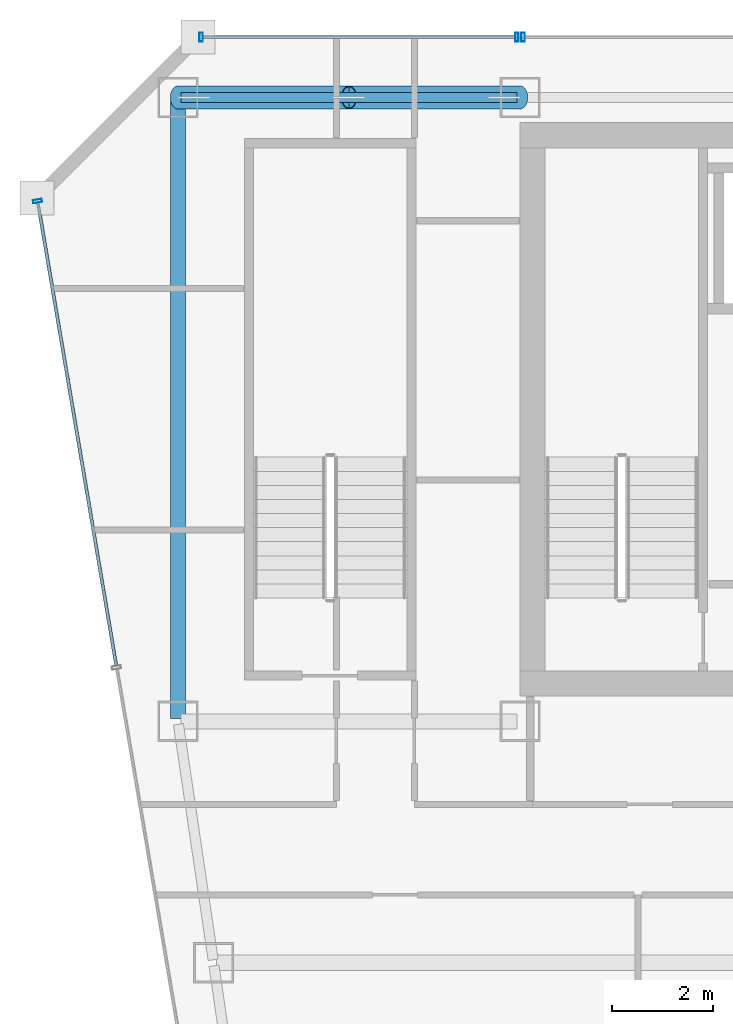
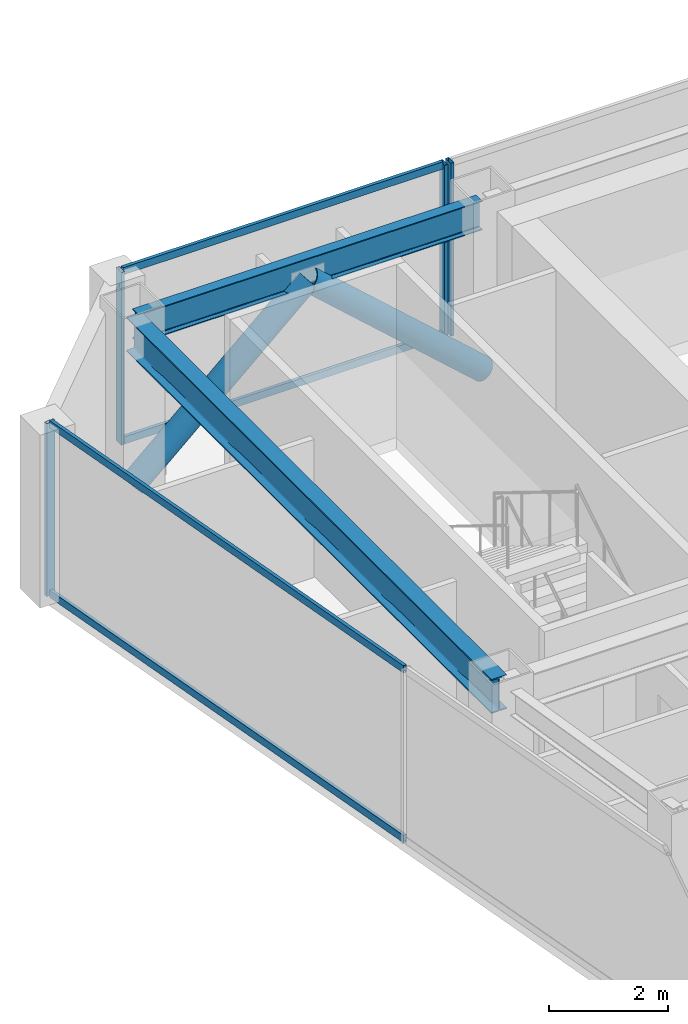
# One storey, part 23 of 35: 10 members, 2 beams, 3 elements without a shape of their own.
"""IFC4 building model written with IfcOpenShell, lengths in metres."""

import ifcopenshell
import ifcopenshell.guid

model = None  # the IFC model being written
_history = None  # IfcOwnerHistory: only IFC2X3 demands one
_inside = {}  # id of a spatial element -> (the spatial element, [elements in it])
_under = {}  # id of a project, library or spatial element -> (it, [spatial elements below it])
_declared = {}  # id of a project -> (the project, [libraries it declares])
_typed = {}  # id of a type object -> (the type object, [elements of that type])
_made_of = {}  # id of a material, layer set ... -> (it, [elements and type objects made of it])


def new_model(schema):
    """Start an empty IFC model of exactly this schema.

    Asked for "IFC4X3", IfcOpenShell would pick the latest addendum, in which some entities
    have other attributes; the version numbers below select the first issue.
    IFC2X3 requires an IfcOwnerHistory on every rooted entity: one is made here for all.
    """
    global model, _history
    if schema == "IFC4X3":
        model = ifcopenshell.file(schema_version=(4, 3, 0, 0))
    else:
        model = ifcopenshell.file(schema=schema)
    _inside.clear()
    _under.clear()
    _declared.clear()
    _typed.clear()
    _made_of.clear()
    _history = None
    if model.schema == "IFC2X3":
        org = make("IfcOrganization", Name="unknown")
        user = make(
            "IfcPersonAndOrganization",
            ThePerson=make("IfcPerson", FamilyName="unknown"),
            TheOrganization=org,
        )
        app = make(
            "IfcApplication",
            ApplicationDeveloper=org,
            Version="unknown",
            ApplicationFullName="unknown",
            ApplicationIdentifier="unknown",
        )
        _history = make(
            "IfcOwnerHistory",
            OwningUser=user,
            OwningApplication=app,
            ChangeAction="ADDED",
            CreationDate=0,
        )
    return model


def make(cls, **values):
    """One entity of the class cls with the attributes given. An attribute that is None is left unset."""
    return model.create_entity(
        cls, **{name: value for name, value in values.items() if value is not None}
    )


def rooted(cls, **values):
    """An entity with a GlobalId (a new one), such as an element, a storey or a relation."""
    return make(cls, GlobalId=ifcopenshell.guid.new(), OwnerHistory=_history, **values)


def si_unit(unit_type, name, prefix=None):
    """IfcSIUnit, for example si_unit("LENGTHUNIT", "METRE", prefix="MILLI")."""
    return make("IfcSIUnit", UnitType=unit_type, Prefix=prefix, Name=name)


def assignment(units):
    """IfcUnitAssignment: the units of a project."""
    return None if units is None else make("IfcUnitAssignment", Units=units)


def point(xyz):
    """IfcCartesianPoint."""
    return None if xyz is None else make("IfcCartesianPoint", Coordinates=xyz)


def direction(xyz):
    """IfcDirection."""
    return None if xyz is None else make("IfcDirection", DirectionRatios=xyz)


def frame(location, z_axis=None, x_axis=None):
    """IfcAxis2Placement3D, a coordinate frame: its origin and axes. An axis left out is left unset."""
    return make(
        "IfcAxis2Placement3D",
        Location=point(location),
        Axis=direction(z_axis),
        RefDirection=direction(x_axis),
    )


def frame_2d(location, x_axis=None):
    """IfcAxis2Placement2D, a coordinate frame in the plane: its origin and x axis."""
    return make(
        "IfcAxis2Placement2D", Location=point(location), RefDirection=direction(x_axis)
    )


def origin():
    """The frame at (0, 0, 0) with its axes left unset."""
    return frame((0.0, 0.0, 0.0))


def origin_2d():
    """The frame at (0, 0) in the plane with its x axis left unset."""
    return frame_2d((0.0, 0.0))


def place(relative_to, where):
    """IfcLocalPlacement: puts the frame where relative to a parent placement (None: the world)."""
    return make(
        "IfcLocalPlacement", PlacementRelTo=relative_to, RelativePlacement=where
    )


def context(
    kind, dimensions, precision=None, world=None, true_north=None, identifier=None
):
    """IfcGeometricRepresentationContext, for example the 3D "Model" context."""
    return make(
        "IfcGeometricRepresentationContext",
        ContextIdentifier=identifier,
        ContextType=kind,
        CoordinateSpaceDimension=dimensions,
        Precision=precision,
        WorldCoordinateSystem=world,
        TrueNorth=true_north,
    )


def subcontext(parent, identifier, kind, view, scale=None):
    """IfcGeometricRepresentationSubContext, for example "Body" below "Model"."""
    return make(
        "IfcGeometricRepresentationSubContext",
        ContextIdentifier=identifier,
        ContextType=kind,
        ParentContext=parent,
        TargetScale=scale,
        TargetView=view,
    )


def project(units=None, contexts=None):
    """IfcProject with its units and contexts."""
    return rooted(
        "IfcProject",
        Name="project",
        RepresentationContexts=contexts,
        UnitsInContext=assignment(units),
    )


def spatial(cls, under=None, at=None, **own):
    """A site, building, storey or space (cls), placed at a placement, below another one or the project."""
    s = rooted(cls, ObjectPlacement=at, **own)
    if under is not None:
        _under.setdefault(under.id(), (under, []))[1].append(s)
    return s


def profile(cls, at=None, kind="AREA", **sizes):
    """A parametric profile (cls). Its sizes go by their IFC names, for example OverallWidth=200.0."""
    return make(cls, ProfileType=kind, Position=at, **sizes)


def hollow_rectangle(**sizes):
    """IfcRectangleHollowProfileDef."""
    return profile("IfcRectangleHollowProfileDef", **sizes)


def hollow_circle(**sizes):
    """IfcCircleHollowProfileDef."""
    return profile("IfcCircleHollowProfileDef", **sizes)


def i_section(**sizes):
    """IfcIShapeProfileDef."""
    return profile("IfcIShapeProfileDef", **sizes)


def extrude(swept, where, along, depth):
    """IfcExtrudedAreaSolid: the profile swept, set in the frame where, extruded along a direction by depth."""
    return make(
        "IfcExtrudedAreaSolid",
        SweptArea=swept,
        Position=where,
        ExtrudedDirection=direction(along),
        Depth=depth,
    )


def shape(context_of_items, identifier, shape_type, items):
    """IfcShapeRepresentation: the items that make up one representation, for example the "Body"."""
    return make(
        "IfcShapeRepresentation",
        ContextOfItems=context_of_items,
        RepresentationIdentifier=identifier,
        RepresentationType=shape_type,
        Items=items,
    )


def material(Name=None, Category=None):
    """IfcMaterial."""
    return make("IfcMaterial", Name=Name, Category=Category)


def material_profile(
    of_material, cross_section, Name=None, Category=None, Priority=None
):
    """IfcMaterialProfile: a cross section and its material."""
    return make(
        "IfcMaterialProfile",
        Name=Name,
        Material=of_material,
        Profile=cross_section,
        Priority=Priority,
        Category=Category,
    )


def profile_set(profiles, Name=None, composite=None):
    """IfcMaterialProfileSet."""
    return make(
        "IfcMaterialProfileSet",
        Name=Name,
        MaterialProfiles=profiles,
        CompositeProfile=composite,
    )


def made_of(thing, what):
    """Note that an element or type object is made of a material, layer set ...; save() writes the relation."""
    if what is not None:
        _made_of.setdefault(what.id(), (what, []))[1].append(thing)
    return thing


def type_object(cls, material=None, **own):
    """A type object (cls), such as IfcWallType, which elements share."""
    return made_of(rooted(cls, **own), material)


def element(
    cls,
    number,
    at=None,
    inside=None,
    cuts=None,
    type_object=None,
    material=None,
    context=None,
    identifier="Body",
    shape_type=None,
    held_by="IfcProductDefinitionShape",
    body=None,
    shapes=None,
    **own,
):
    """One element of the class cls, such as IfcWall. Its Tag is "e" and its number.

    at: its placement. inside: the storey or other place that contains it. cuts: it is an
    opening in that element (IfcRelVoidsElement). A single representation is given by context,
    identifier, shape_type and body (its items); several are given by shapes. held_by: the class
    of the entity that holds the representations. save() writes the other relations.
    """
    e = rooted(cls, Tag="e%d" % number, ObjectPlacement=at, **own)
    if body is not None:
        shapes = [shape(context, identifier, shape_type, body)]
    if shapes is not None:
        e.Representation = make(held_by, Representations=shapes)
    if inside is not None:
        _inside.setdefault(inside.id(), (inside, []))[1].append(e)
    if cuts is not None:
        rooted(
            "IfcRelVoidsElement", RelatingBuildingElement=cuts, RelatedOpeningElement=e
        )
    if type_object is not None:
        _typed.setdefault(type_object.id(), (type_object, []))[1].append(e)
    return made_of(e, material)


def aggregate(whole, parts):
    """IfcRelAggregates: a whole, such as a stair, and the parts it consists of."""
    return rooted("IfcRelAggregates", RelatingObject=whole, RelatedObjects=parts)


def save(model, path):
    """Write the relations noted so far, then the file.

    IfcRelAggregates (storeys below a building ...), IfcRelContainedInSpatialStructure (elements
    in a storey), IfcRelDefinesByType, IfcRelAssociatesMaterial and IfcRelDeclares: one each for
    every whole, place, type object, material and project.
    """
    for whole, parts in _under.values():
        aggregate(whole, parts)
    for where, things in _inside.values():
        rooted(
            "IfcRelContainedInSpatialStructure",
            RelatedElements=things,
            RelatingStructure=where,
        )
    for kind, things in _typed.values():
        rooted("IfcRelDefinesByType", RelatedObjects=things, RelatingType=kind)
    for what, things in _made_of.values():
        rooted("IfcRelAssociatesMaterial", RelatedObjects=things, RelatingMaterial=what)
    for by, libraries in _declared.values():
        rooted("IfcRelDeclares", RelatingContext=by, RelatedDefinitions=libraries)
    model.write(path)


model = new_model("IFC4")

# Units and contexts
model_context = context("Model", 3, precision=1e-05, world=origin(), true_north=direction((0.0, 1.0)))
body_context = subcontext(model_context, "Body", "Model", "MODEL_VIEW")
ifc_project = project(units=[si_unit("LENGTHUNIT", "METRE"), si_unit("AREAUNIT", "SQUARE_METRE"), si_unit("VOLUMEUNIT", "CUBIC_METRE"), si_unit("PLANEANGLEUNIT", "RADIAN"), si_unit("MASSUNIT", "GRAM", prefix="KILO")], contexts=[model_context])

# Site, building, storey
site_placement = place(None, origin())
site = spatial("IfcSite", under=ifc_project, at=site_placement, CompositionType="ELEMENT")
building_placement = place(site_placement, origin())
building = spatial("IfcBuilding", under=site, at=building_placement, Name="Saevonmaru Cultural Tower", CompositionType="ELEMENT")
storey_placement = place(building_placement, frame((0.0, 0.0, 217.0)))
storey = spatial("IfcBuildingStorey", under=building, at=storey_placement, Name="L50", CompositionType="ELEMENT", Elevation=217.0)

# Beams
ifc_material_1 = material(Name="Steel SM355", Category="steel")
ifc_material_profile_1 = material_profile(ifc_material_1, i_section(OverallWidth=0.300048828125, OverallDepth=0.699951171875, WebThickness=0.012939453125, FlangeThickness=0.02392578125, FilletRadius=0.02587890625, at=origin_2d()), Name="H-700x300x13x24")
ifc_profile_set_1 = profile_set([ifc_material_profile_1], Name="Steel SM355")
beam_type_1 = type_object("IfcBeamType", Name="BM-G-H700", PredefinedType="BEAM", material=ifc_profile_set_1)
beam_1_placement = place(storey_placement, frame((6.800048828125, 54.739990234375, 3.199951171875), z_axis=(0.0, -1.0, 0.0), x_axis=(1.0, 0.0, 0.0)))
element("IfcBeam", 1, at=beam_1_placement, inside=storey, type_object=beam_type_1, Name="L50 Spine Transverse Girder W", PredefinedType="BEAM", context=body_context, shape_type="SweptSolid", body=[
    extrude(i_section(OverallWidth=0.300048828125, OverallDepth=0.699951171875, WebThickness=0.012939453125, FlangeThickness=0.02392578125, FilletRadius=0.02587890625, at=origin_2d()), origin(), (0.0, 0.0, 1.0), 12.280029296875),
])
ifc_material_profile_2 = material_profile(ifc_material_1, i_section(OverallWidth=0.199951171875, OverallDepth=0.60009765625, WebThickness=0.010986328125, FlangeThickness=0.01708984375, FilletRadius=0.02197265625, at=origin_2d()), Name="H-600x200x11x17")
ifc_profile_set_2 = profile_set([ifc_material_profile_2], Name="Steel SM355")
beam_type_2 = type_object("IfcBeamType", Name="BM-SP-H600", PredefinedType="SPANDREL", material=ifc_profile_set_2)
beam_2_placement = place(storey_placement, frame((6.860107421875, 54.800048828125, 3.25), z_axis=(1.0, 0.0, 0.0), x_axis=(0.0, 1.0, 0.0)))
element("IfcBeam", 2, at=beam_2_placement, inside=storey, type_object=beam_type_2, Name="L50 North Spine Girder 1", PredefinedType="SPANDREL", context=body_context, shape_type="SweptSolid", body=[
    extrude(i_section(OverallWidth=0.199951171875, OverallDepth=0.60009765625, WebThickness=0.010986328125, FlangeThickness=0.01708984375, FilletRadius=0.02197265625, at=origin_2d()), origin(), (0.0, 0.0, 1.0), 6.679931640625),
])

# Members
ifc_material_2 = material(Name="Steel SM420", Category="steel")
ifc_material_profile_3 = material_profile(ifc_material_2, hollow_circle(Radius=0.228515625, WallThickness=0.02001953125, at=origin_2d()), Name="CHS-457.2x20")
ifc_profile_set_3 = profile_set([ifc_material_profile_3], Name="Steel SM420")
member_type_1 = type_object("IfcMemberType", Name="MB-PBR-CHS457", PredefinedType="BRACE", material=ifc_profile_set_3)
for number, where, z_axis, x_axis, name in (
    (3, (6.800048828125, 54.800048828125, 0.02001953125), (0.744366945704, 0.0, 0.667770806597), (0.0, 1.0, 0.0), "L50 Perimeter Braced-Tube Diagonal WN1"),
    (4, (13.60009765625, 54.800048828125, 0.02001953125), (-0.744390779303, 0.0, 0.66774423823), (0.0, -1.0, 0.0), "L50 Perimeter Braced-Tube Diagonal WN2"),
):
    element("IfcMember", number, at=place(storey_placement, frame(where, z_axis=z_axis, x_axis=x_axis)), inside=storey, type_object=member_type_1, Name=name, PredefinedType="BRACE", context=body_context, shape_type="SweptSolid", body=[
        extrude(hollow_circle(Radius=0.228515625, WallThickness=0.02001953125, at=origin_2d()), origin(), (0.0, 0.0, 1.0), 4.567626953125),
    ])

# Curtain wall, member
ifc_material_3 = material(Name="Satin Bronze Anodised Aluminium", Category="aluminium")
curtain_wall_type = type_object("IfcCurtainWallType", Name="CW-TYP-B", PredefinedType="NOTDEFINED", material=ifc_material_3)
curtain_wall_1_placement = place(storey_placement, origin())
curtain_wall_1 = element("IfcCurtainWall", 5, at=curtain_wall_1_placement, inside=storey, type_object=curtain_wall_type, Name="L50 North Spine Unitised Curtain Wall E10B", PredefinedType="NOTDEFINED")
ifc_material_profile_4 = material_profile(ifc_material_3, hollow_rectangle(XDim=0.06494140625, YDim=0.179931640625, WallThickness=0.00390625, at=origin_2d()), Name="ALU-MULL-180x65x4")
ifc_profile_set_4 = profile_set([ifc_material_profile_4], Name="Satin Bronze Anodised Aluminium")
member_type_2 = type_object("IfcMemberType", Name="ML-CW-180x65", PredefinedType="MULLION", material=ifc_profile_set_4)
member_1_placement = place(storey_placement, frame((13.659912109375, 56.0, 0.0), z_axis=(0.0, 0.0, 1.0), x_axis=(-1.0, 0.0, 0.0)))
member_1 = element("IfcMember", 6, at=member_1_placement, type_object=member_type_2, Name="CW-TW-L50-E10B mullion 4", PredefinedType="MULLION", context=body_context, shape_type="SweptSolid", body=[
    extrude(hollow_rectangle(XDim=0.06494140625, YDim=0.179931640625, WallThickness=0.00390625, at=origin_2d()), origin(), (0.0, 0.0, 1.0), 3.550048828125),
])
aggregate(curtain_wall_1, [member_1])

# Curtain wall, members
curtain_wall_2_placement = place(storey_placement, origin())
curtain_wall_2 = element("IfcCurtainWall", 7, at=curtain_wall_2_placement, inside=storey, type_object=curtain_wall_type, Name="L50 West Braced Bay Spandrel Curtain Wall E10C", PredefinedType="NOTDEFINED")
member_2_placement = place(storey_placement, frame((13.5400390625, 56.0, 0.0), z_axis=(0.0, 0.0, 1.0), x_axis=(-1.0, 0.0, 0.0)))
member_2 = element("IfcMember", 8, at=member_2_placement, type_object=member_type_2, Name="CW-TW-L50-E10C mullion 1", PredefinedType="MULLION", context=body_context, shape_type="SweptSolid", body=[
    extrude(hollow_rectangle(XDim=0.06494140625, YDim=0.179931640625, WallThickness=0.00390625, at=origin_2d()), origin(), (0.0, 0.0, 1.0), 3.550048828125),
])
member_3_placement = place(storey_placement, frame((7.260009765625, 56.0, 0.0), z_axis=(0.0, 0.0, 1.0), x_axis=(-1.0, 0.0, 0.0)))
member_3 = element("IfcMember", 9, at=member_3_placement, type_object=member_type_2, Name="CW-TW-L50-E10C mullion 2", PredefinedType="MULLION", context=body_context, shape_type="SweptSolid", body=[
    extrude(hollow_rectangle(XDim=0.06494140625, YDim=0.179931640625, WallThickness=0.00390625, at=origin_2d()), origin(), (0.0, 0.0, 1.0), 3.550048828125),
])

# Curtain wall, member
curtain_wall_3_placement = place(storey_placement, origin())
curtain_wall_3 = element("IfcCurtainWall", 10, at=curtain_wall_3_placement, inside=storey, type_object=curtain_wall_type, Name="L50 Unitised Curtain Wall E12", PredefinedType="NOTDEFINED")
member_4_placement = place(storey_placement, frame((4.010009765625, 52.74072265625, 0.0), z_axis=(0.0, 0.0, 1.0), x_axis=(0.16692169721, -0.985970155228, 0.0)))
member_4 = element("IfcMember", 11, at=member_4_placement, type_object=member_type_2, Name="CW-TW-L50-E12 mullion 1", PredefinedType="MULLION", context=body_context, shape_type="SweptSolid", body=[
    extrude(hollow_rectangle(XDim=0.06494140625, YDim=0.179931640625, WallThickness=0.00390625, at=origin_2d()), origin(), (0.0, 0.0, 1.0), 3.550048828125),
])

# Member
ifc_material_profile_5 = material_profile(ifc_material_3, hollow_rectangle(XDim=0.06494140625, YDim=0.14990234375, WallThickness=0.00390625, at=origin_2d()), Name="ALU-TRAN-150x65x4")
ifc_profile_set_5 = profile_set([ifc_material_profile_5], Name="Satin Bronze Anodised Aluminium")
member_type_3 = type_object("IfcMemberType", Name="TR-CW-150x65", PredefinedType="USERDEFINED", material=ifc_profile_set_5)
member_5_placement = place(storey_placement, frame((13.507568359375, 56.0, 0.032470703125), z_axis=(-1.0, 0.0, 0.0), x_axis=(0.0, -1.0, 0.0)))
member_5 = element("IfcMember", 12, at=member_5_placement, type_object=member_type_3, Name="CW-TW-L50-E10C transom 1.1", ObjectType="TRANSOM", PredefinedType="USERDEFINED", context=body_context, shape_type="SweptSolid", body=[
    extrude(hollow_rectangle(XDim=0.06494140625, YDim=0.14990234375, WallThickness=0.00390625, at=origin_2d()), origin(), (0.0, 0.0, 1.0), 6.215087890625),
])

member_6_placement = place(storey_placement, frame((13.507568359375, 56.0, 3.517578125), z_axis=(-1.0, 0.0, 0.0), x_axis=(0.0, -1.0, 0.0)))
member_6 = element("IfcMember", 13, at=member_6_placement, type_object=member_type_3, Name="CW-TW-L50-E10C transom 1.2", ObjectType="TRANSOM", PredefinedType="USERDEFINED", context=body_context, shape_type="SweptSolid", body=[
    extrude(hollow_rectangle(XDim=0.06494140625, YDim=0.14990234375, WallThickness=0.00390625, at=origin_2d()), origin(), (0.0, 0.0, 1.0), 6.215087890625),
])

aggregate(curtain_wall_2, [member_2, member_3, member_5, member_6])

member_7_placement = place(storey_placement, frame((4.015380859375, 52.708740234375, 0.032470703125), z_axis=(0.166921263871, -0.985970228591, 0.0), x_axis=(0.985970228591, 0.166921263871, 0.0)))
member_7 = element("IfcMember", 14, at=member_7_placement, type_object=member_type_3, Name="CW-TW-L50-E12 transom 1.1", ObjectType="TRANSOM", PredefinedType="USERDEFINED", context=body_context, shape_type="SweptSolid", body=[
    extrude(hollow_rectangle(XDim=0.06494140625, YDim=0.14990234375, WallThickness=0.00390625, at=origin_2d()), origin(), (0.0, 0.0, 1.0), 9.33740234375),
])

member_8_placement = place(storey_placement, frame((4.015380859375, 52.708740234375, 3.517578125), z_axis=(0.166921263871, -0.985970228591, 0.0), x_axis=(0.985970228591, 0.166921263871, 0.0)))
member_8 = element("IfcMember", 15, at=member_8_placement, type_object=member_type_3, Name="CW-TW-L50-E12 transom 1.2", ObjectType="TRANSOM", PredefinedType="USERDEFINED", context=body_context, shape_type="SweptSolid", body=[
    extrude(hollow_rectangle(XDim=0.06494140625, YDim=0.14990234375, WallThickness=0.00390625, at=origin_2d()), origin(), (0.0, 0.0, 1.0), 9.33740234375),
])

aggregate(curtain_wall_3, [member_4, member_7, member_8])

save(model, "model.ifc")
